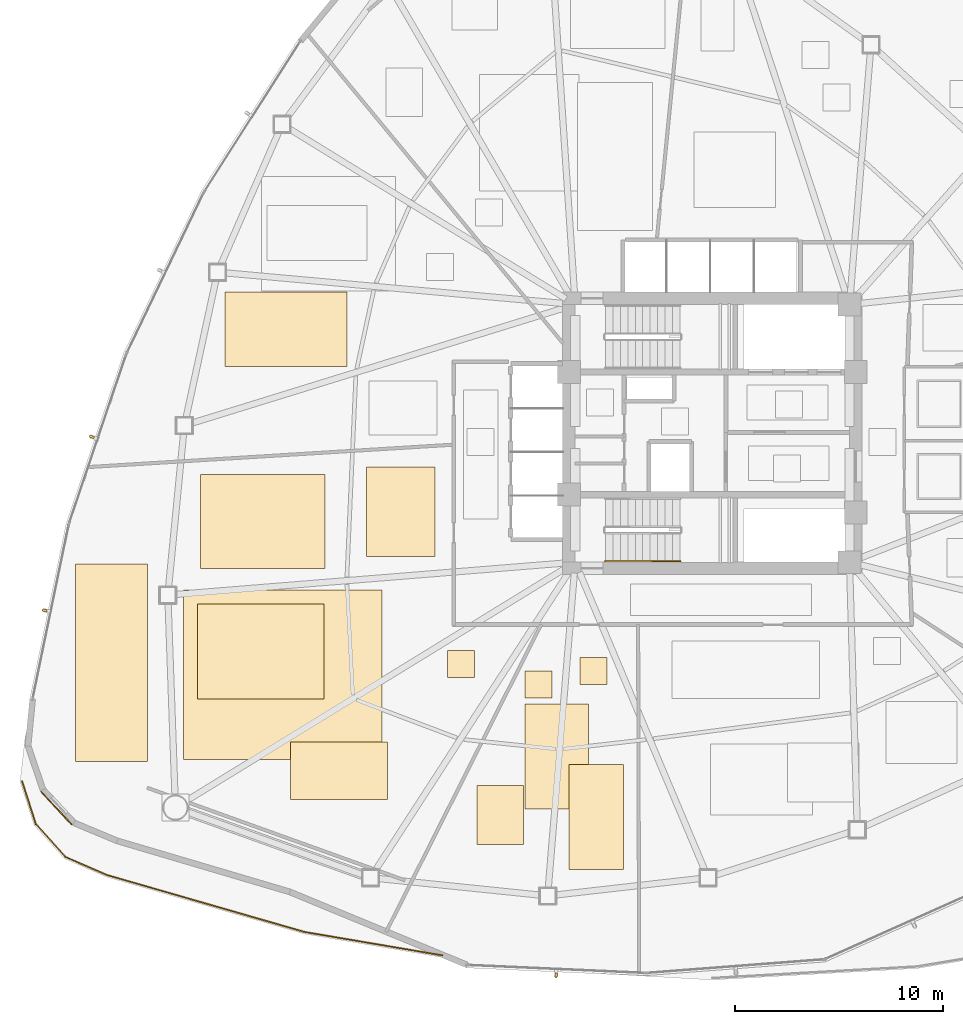
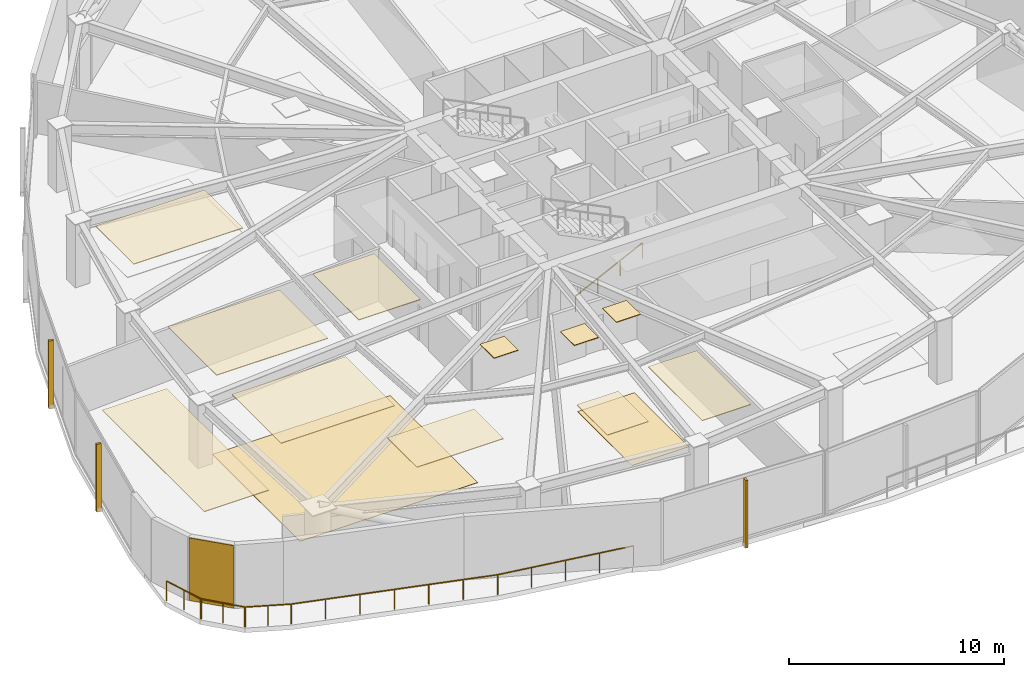
# One storey, part 14 of 19: 14 coverings, 6 railings, 3 shading devices.
"""IFC4 building model written with IfcOpenShell, lengths in metres."""

from ifc_helpers import new_model, si_unit, direction, frame, origin, origin_2d, place, context, subcontext, project, spatial, polyline, rectangle, outline, extrude, source, transform, mapped, material, layer, layer_set, type_object, type_shapes, element, save


model = new_model("IFC4")

# Units and contexts
model_context = context("Model", 3, precision=1e-05, world=origin(), true_north=direction((0.0, 1.0)))
body_context = subcontext(model_context, "Body", "Model", "MODEL_VIEW")
ifc_project = project(units=[si_unit("LENGTHUNIT", "METRE"), si_unit("AREAUNIT", "SQUARE_METRE"), si_unit("VOLUMEUNIT", "CUBIC_METRE"), si_unit("PLANEANGLEUNIT", "RADIAN"), si_unit("MASSUNIT", "GRAM", prefix="KILO")], contexts=[model_context])

# Site, building, storey
site_placement = place(None, origin())
site = spatial("IfcSite", under=ifc_project, at=site_placement, CompositionType="ELEMENT")
building_placement = place(site_placement, origin())
building = spatial("IfcBuilding", under=site, at=building_placement, Name="Tavelor Broadcast Tower", CompositionType="ELEMENT")
storey_placement = place(building_placement, frame((0.0, 0.0, 27.60009765625)))
storey = spatial("IfcBuildingStorey", under=building, at=storey_placement, Name="L05", CompositionType="ELEMENT", Elevation=27.60009765625)

# Covering
ifc_material_1 = material(Name="Copper-Bronze Anodized Aluminium", Category="aluminium")
ifc_layer_1 = layer(ifc_material_1, 0.050048828125)
ifc_layer_set_1 = layer_set([ifc_layer_1], Name="Copper-Bronze Anodized Aluminium")
covering_type_1 = type_object("IfcCoveringType", Name="Champagne-Bronze Corner Pier Metal Cladding 50 mm", PredefinedType="CLADDING", material=ifc_layer_set_1)
covering_1_placement = place(storey_placement, frame((18.4306640625, 26.9658203125, 0.019775390625), z_axis=(0.0, 0.0, 1.0), x_axis=(0.6826363268, -0.730758267372, 0.0)))
element("IfcCovering", 1, at=covering_1_placement, inside=storey, type_object=covering_type_1, Name="L05 Champagne-Bronze Corner Cladding 13", PredefinedType="CLADDING", context=body_context, shape_type="SweptSolid", body=[
    extrude(rectangle(XDim=2.173095703125, YDim=0.050048828125, at=origin_2d()), origin(), (0.0, 0.0, 1.0), 3.56005859375),
])

# Railing
ifc_material_2 = material(Name="Steel S355", Category="steel")
railing_type_1 = type_object("IfcRailingType", Name="Continuous Brushed Stainless Handrail 900 mm", PredefinedType="HANDRAIL", material=ifc_material_2)
railing_1_placement = place(storey_placement, frame((44.85009765625, 38.85009765625, 0.17724609375)))
element("IfcRailing", 2, at=railing_1_placement, inside=storey, type_object=railing_type_1, Name="L05 ST2 stair handrail 1", PredefinedType="HANDRAIL", context=body_context, shape_type="SweptSolid", body=[
    extrude(rectangle(XDim=0.048095703125, YDim=0.048095703125, at=origin_2d()), frame((0.0, 0.0, 0.8759765625), z_axis=(0.897124305991, 0.0, 0.441778201817), x_axis=(0.0, 1.0, 0.0)), (0.0, 0.0, 1.0), 4.0126953125),
    extrude(rectangle(XDim=0.0419921875, YDim=0.0419921875, at=origin_2d()), origin(), (0.0, 0.0, 1.0), 0.851806640625),
    extrude(rectangle(XDim=0.0419921875, YDim=0.0419921875, at=origin_2d()), frame((1.199951171875, 0.0, 0.5908203125)), (0.0, 0.0, 1.0), 0.851806640625),
    extrude(rectangle(XDim=0.0419921875, YDim=0.0419921875, at=origin_2d()), frame((2.39990234375, 0.0, 1.181884765625)), (0.0, 0.0, 1.0), 0.851806640625),
    extrude(rectangle(XDim=0.0419921875, YDim=0.0419921875, at=origin_2d()), frame((3.599853515625, 0.0, 1.772705078125)), (0.0, 0.0, 1.0), 0.851806640625),
])

# Coverings
ifc_material_3 = material(Name="Acoustic Nylon Carpet Tile")
ifc_layer_2 = layer(ifc_material_3, 0.02001953125)
ifc_layer_set_2 = layer_set([ifc_layer_2], Name="Acoustic Nylon Carpet Tile")
covering_type_2 = type_object("IfcCoveringType", Name="Heavy-Duty Acoustic Broadcast Carpet Tile 20 mm", PredefinedType="FLOORING", material=ifc_layer_set_2)
covering_2_placement = place(storey_placement, origin())
element("IfcCovering", 3, at=covering_2_placement, inside=storey, type_object=covering_type_2, Name="L05 Broadcast Floor Finish 0056", PredefinedType="FLOORING", context=body_context, shape_type="SweptSolid", body=[
    extrude(outline(polyline([(40.99462890625, 26.917236328125), (44.045654296875, 26.917236328125), (44.045654296875, 31.978515625), (40.99462890625, 31.978515625), (40.99462890625, 26.917236328125)])), origin(), (0.0, 0.0, 1.0), 0.02001953125),
])
covering_3_placement = place(storey_placement, origin())
element("IfcCovering", 4, at=covering_3_placement, inside=storey, type_object=covering_type_2, Name="L05 Broadcast Floor Finish 0057", PredefinedType="FLOORING", context=body_context, shape_type="SweptSolid", body=[
    extrude(outline(polyline([(24.547119140625, 29.31494140625), (34.098876953125, 29.31494140625), (34.098876953125, 37.4599609375), (24.547119140625, 37.4599609375), (24.547119140625, 29.31494140625)])), origin(), (0.0, 0.0, 1.0), 0.02001953125),
])

# Railings
railing_type_2 = type_object("IfcRailingType", Name="Planted Terrace Laminated Glass Balustrade 1150 mm", PredefinedType="BALUSTRADE", material=ifc_material_2)
railing_2_placement = place(storey_placement, frame((16.775146484375, 28.26416015625, 0.0)))
element("IfcRailing", 5, at=railing_2_placement, inside=storey, type_object=railing_type_2, Name="L05 Cascading Garden Terrace 2 Balustrade #141", PredefinedType="BALUSTRADE", context=body_context, shape_type="SweptSolid", body=[
    extrude(rectangle(XDim=0.048095703125, YDim=0.048095703125, at=origin_2d()), frame((0.0, 0.0, 1.1259765625), z_axis=(0.306507386118, -0.951868279887, 0.0), x_axis=(0.951868279887, 0.306507386118, 0.0)), (0.0, 0.0, 1.0), 2.18896484375),
    extrude(rectangle(XDim=0.0419921875, YDim=0.0419921875, at=origin_2d()), origin(), (0.0, 0.0, 1.0), 1.101806640625),
    extrude(rectangle(XDim=0.0419921875, YDim=0.0419921875, at=origin_2d()), frame((0.33544921875, -1.041748046875, 0.0)), (0.0, 0.0, 1.0), 1.101806640625),
    extrude(rectangle(XDim=0.0419921875, YDim=0.0419921875, at=origin_2d()), frame((0.6708984375, -2.08349609375, 0.0)), (0.0, 0.0, 1.0), 1.101806640625),
])
railing_3_placement = place(storey_placement, frame((17.4248046875, 26.217041015625, 0.0)))
element("IfcRailing", 6, at=railing_3_placement, inside=storey, type_object=railing_type_2, Name="L05 Cascading Garden Terrace 2 Balustrade #142", PredefinedType="BALUSTRADE", context=body_context, shape_type="SweptSolid", body=[
    extrude(rectangle(XDim=0.048095703125, YDim=0.048095703125, at=origin_2d()), frame((0.0, 0.0, 1.1259765625), z_axis=(0.671100212539, -0.741366646626, 0.0), x_axis=(0.741366646626, 0.671100212539, 0.0)), (0.0, 0.0, 1.0), 2.18896484375),
    extrude(rectangle(XDim=0.0419921875, YDim=0.0419921875, at=origin_2d()), origin(), (0.0, 0.0, 1.0), 1.101806640625),
    extrude(rectangle(XDim=0.0419921875, YDim=0.0419921875, at=origin_2d()), frame((0.734375, -0.8115234375, 0.0)), (0.0, 0.0, 1.0), 1.101806640625),
    extrude(rectangle(XDim=0.0419921875, YDim=0.0419921875, at=origin_2d()), frame((1.468994140625, -1.622802734375, 0.0)), (0.0, 0.0, 1.0), 1.101806640625),
])
railing_4_placement = place(storey_placement, frame((18.85986328125, 24.618896484375, 0.0)))
element("IfcRailing", 7, at=railing_4_placement, inside=storey, type_object=railing_type_2, Name="L05 Cascading Garden Terrace 2 Balustrade #143", PredefinedType="BALUSTRADE", context=body_context, shape_type="SweptSolid", body=[
    extrude(rectangle(XDim=0.048095703125, YDim=0.048095703125, at=origin_2d()), frame((0.0, 0.0, 1.1259765625), z_axis=(0.916722152354, -0.3995253376, 0.0), x_axis=(0.3995253376, 0.916722152354, 0.0)), (0.0, 0.0, 1.0), 2.18896484375),
    extrude(rectangle(XDim=0.0419921875, YDim=0.0419921875, at=origin_2d()), origin(), (0.0, 0.0, 1.0), 1.101806640625),
    extrude(rectangle(XDim=0.0419921875, YDim=0.0419921875, at=origin_2d()), frame((1.00341796875, -0.437255859375, 0.0)), (0.0, 0.0, 1.0), 1.101806640625),
    extrude(rectangle(XDim=0.0419921875, YDim=0.0419921875, at=origin_2d()), frame((2.006591796875, -0.87451171875, 0.0)), (0.0, 0.0, 1.0), 1.101806640625),
])
railing_5_placement = place(storey_placement, frame((20.85400390625, 23.748779296875, 0.0)))
element("IfcRailing", 8, at=railing_5_placement, inside=storey, type_object=railing_type_2, Name="L05 Cascading Garden Terrace 2 Balustrade #144", PredefinedType="BALUSTRADE", context=body_context, shape_type="SweptSolid", body=[
    extrude(rectangle(XDim=0.048095703125, YDim=0.048095703125, at=origin_2d()), frame((0.0, 0.0, 1.1259765625), z_axis=(0.960869269695, -0.277002250092, 0.0), x_axis=(0.277002250092, 0.960869269695, 0.0)), (0.0, 0.0, 1.0), 9.90576171875),
    extrude(rectangle(XDim=0.0419921875, YDim=0.0419921875, at=origin_2d()), origin(), (0.0, 0.0, 1.0), 1.101806640625),
    extrude(rectangle(XDim=0.0419921875, YDim=0.0419921875, at=origin_2d()), frame((1.58642578125, -0.457275390625, 0.0)), (0.0, 0.0, 1.0), 1.101806640625),
    extrude(rectangle(XDim=0.0419921875, YDim=0.0419921875, at=origin_2d()), frame((3.172607421875, -0.91455078125, 0.0)), (0.0, 0.0, 1.0), 1.101806640625),
    extrude(rectangle(XDim=0.0419921875, YDim=0.0419921875, at=origin_2d()), frame((4.759033203125, -1.3720703125, 0.0)), (0.0, 0.0, 1.0), 1.101806640625),
    extrude(rectangle(XDim=0.0419921875, YDim=0.0419921875, at=origin_2d()), frame((6.345458984375, -1.829345703125, 0.0)), (0.0, 0.0, 1.0), 1.101806640625),
    extrude(rectangle(XDim=0.0419921875, YDim=0.0419921875, at=origin_2d()), frame((7.931640625, -2.28662109375, 0.0)), (0.0, 0.0, 1.0), 1.101806640625),
    extrude(rectangle(XDim=0.0419921875, YDim=0.0419921875, at=origin_2d()), frame((9.51806640625, -2.743896484375, 0.0)), (0.0, 0.0, 1.0), 1.101806640625),
])
railing_6_placement = place(storey_placement, frame((30.361083984375, 21.007568359375, 0.0)))
element("IfcRailing", 9, at=railing_6_placement, inside=storey, type_object=railing_type_2, Name="L05 Cascading Garden Terrace 2 Balustrade #145", PredefinedType="BALUSTRADE", context=body_context, shape_type="SweptSolid", body=[
    extrude(rectangle(XDim=0.048095703125, YDim=0.048095703125, at=origin_2d()), frame((0.0, 0.0, 1.1259765625), z_axis=(0.985852977945, -0.167612367912, 0.0), x_axis=(0.167612367912, 0.985852977945, 0.0)), (0.0, 0.0, 1.0), 6.749755859375),
    extrude(rectangle(XDim=0.0419921875, YDim=0.0419921875, at=origin_2d()), origin(), (0.0, 0.0, 1.0), 1.101806640625),
    extrude(rectangle(XDim=0.0419921875, YDim=0.0419921875, at=origin_2d()), frame((1.66357421875, -0.28271484375, 0.0)), (0.0, 0.0, 1.0), 1.101806640625),
    extrude(rectangle(XDim=0.0419921875, YDim=0.0419921875, at=origin_2d()), frame((3.3271484375, -0.565673828125, 0.0)), (0.0, 0.0, 1.0), 1.101806640625),
    extrude(rectangle(XDim=0.0419921875, YDim=0.0419921875, at=origin_2d()), frame((4.99072265625, -0.8486328125, 0.0)), (0.0, 0.0, 1.0), 1.101806640625),
    extrude(rectangle(XDim=0.0419921875, YDim=0.0419921875, at=origin_2d()), frame((6.654296875, -1.13134765625, 0.0)), (0.0, 0.0, 1.0), 1.101806640625),
])

# Coverings
ifc_material_4 = material(Name="Acoustic Mineral Fibre Tile")
ifc_layer_3 = layer(ifc_material_4, 0.0400390625)
ifc_layer_set_3 = layer_set([ifc_layer_3], Name="Acoustic Mineral Fibre Tile")
covering_type_3 = type_object("IfcCoveringType", Name="Suspended Acoustic Mineral-Fibre Office Ceiling 40 mm", PredefinedType="CEILING", material=ifc_layer_set_3)
covering_4_placement = place(storey_placement, frame((0.0, 0.0, 3.559814453125)))
element("IfcCovering", 10, at=covering_4_placement, inside=storey, type_object=covering_type_3, Name="L05 Suspended Acoustic Ceiling 0129", PredefinedType="CEILING", context=body_context, shape_type="SweptSolid", body=[
    extrude(outline(polyline([(38.6806640625, 25.205810546875), (40.901123046875, 25.205810546875), (40.901123046875, 28.044677734375), (38.6806640625, 28.044677734375), (38.6806640625, 25.205810546875)])), origin(), (0.0, 0.0, 1.0), 0.0400390625),
])
covering_5_placement = place(storey_placement, frame((0.0, 0.0, 3.559814453125)))
element("IfcCovering", 11, at=covering_5_placement, inside=storey, type_object=covering_type_3, Name="L05 Suspended Acoustic Ceiling 0130", PredefinedType="CEILING", context=body_context, shape_type="SweptSolid", body=[
    extrude(outline(polyline([(40.989013671875, 32.272216796875), (42.288818359375, 32.272216796875), (42.288818359375, 33.572265625), (40.989013671875, 33.572265625), (40.989013671875, 32.272216796875)])), origin(), (0.0, 0.0, 1.0), 0.0400390625),
])
covering_6_placement = place(storey_placement, frame((0.0, 0.0, 3.559814453125)))
element("IfcCovering", 12, at=covering_6_placement, inside=storey, type_object=covering_type_3, Name="L05 Suspended Acoustic Ceiling 0131", PredefinedType="CEILING", context=body_context, shape_type="SweptSolid", body=[
    extrude(outline(polyline([(43.62451171875, 32.9248046875), (44.924560546875, 32.9248046875), (44.924560546875, 34.224609375), (43.62451171875, 34.224609375), (43.62451171875, 32.9248046875)])), origin(), (0.0, 0.0, 1.0), 0.0400390625),
])
covering_7_placement = place(storey_placement, frame((0.0, 0.0, 3.559814453125)))
element("IfcCovering", 13, at=covering_7_placement, inside=storey, type_object=covering_type_3, Name="L05 Suspended Acoustic Ceiling 0132", PredefinedType="CEILING", context=body_context, shape_type="SweptSolid", body=[
    extrude(outline(polyline([(43.09814453125, 24.02294921875), (45.71728515625, 24.02294921875), (45.71728515625, 29.062744140625), (43.09814453125, 29.062744140625), (43.09814453125, 24.02294921875)])), origin(), (0.0, 0.0, 1.0), 0.0400390625),
])
covering_8_placement = place(storey_placement, frame((0.0, 0.0, 3.559814453125)))
element("IfcCovering", 14, at=covering_8_placement, inside=storey, type_object=covering_type_3, Name="L05 Suspended Acoustic Ceiling 0133", PredefinedType="CEILING", context=body_context, shape_type="SweptSolid", body=[
    extrude(outline(polyline([(29.708740234375, 27.378173828125), (34.37109375, 27.378173828125), (34.37109375, 30.14013671875), (29.708740234375, 30.14013671875), (29.708740234375, 27.378173828125)])), origin(), (0.0, 0.0, 1.0), 0.0400390625),
])
covering_9_placement = place(storey_placement, frame((0.0, 0.0, 3.559814453125)))
element("IfcCovering", 15, at=covering_9_placement, inside=storey, type_object=covering_type_3, Name="L05 Suspended Acoustic Ceiling 0134", PredefinedType="CEILING", context=body_context, shape_type="SweptSolid", body=[
    extrude(outline(polyline([(25.214111328125, 32.22314453125), (31.322021484375, 32.22314453125), (31.322021484375, 36.800048828125), (25.214111328125, 36.800048828125), (25.214111328125, 32.22314453125)])), origin(), (0.0, 0.0, 1.0), 0.0400390625),
])
covering_10_placement = place(storey_placement, frame((0.0, 0.0, 3.559814453125)))
element("IfcCovering", 16, at=covering_10_placement, inside=storey, type_object=covering_type_3, Name="L05 Suspended Acoustic Ceiling 0135", PredefinedType="CEILING", context=body_context, shape_type="SweptSolid", body=[
    extrude(outline(polyline([(19.3544921875, 29.212646484375), (22.8232421875, 29.212646484375), (22.8232421875, 38.714111328125), (19.3544921875, 38.714111328125), (19.3544921875, 29.212646484375)])), origin(), (0.0, 0.0, 1.0), 0.0400390625),
])
covering_11_placement = place(storey_placement, frame((0.0, 0.0, 3.559814453125)))
element("IfcCovering", 17, at=covering_11_placement, inside=storey, type_object=covering_type_3, Name="L05 Suspended Acoustic Ceiling 0136", PredefinedType="CEILING", context=body_context, shape_type="SweptSolid", body=[
    extrude(outline(polyline([(25.375, 38.505615234375), (31.357421875, 38.505615234375), (31.357421875, 43.031005859375), (25.375, 43.031005859375), (25.375, 38.505615234375)])), origin(), (0.0, 0.0, 1.0), 0.0400390625),
])
covering_12_placement = place(storey_placement, frame((0.0, 0.0, 3.559814453125)))
element("IfcCovering", 18, at=covering_12_placement, inside=storey, type_object=covering_type_3, Name="L05 Suspended Acoustic Ceiling 0137", PredefinedType="CEILING", context=body_context, shape_type="SweptSolid", body=[
    extrude(outline(polyline([(33.345703125, 39.077880859375), (36.65869140625, 39.077880859375), (36.65869140625, 43.369873046875), (33.345703125, 43.369873046875), (33.345703125, 39.077880859375)])), origin(), (0.0, 0.0, 1.0), 0.0400390625),
])
covering_13_placement = place(storey_placement, frame((0.0, 0.0, 3.559814453125)))
element("IfcCovering", 19, at=covering_13_placement, inside=storey, type_object=covering_type_3, Name="L05 Suspended Acoustic Ceiling 0138", PredefinedType="CEILING", context=body_context, shape_type="SweptSolid", body=[
    extrude(outline(polyline([(37.24169921875, 33.247314453125), (38.541748046875, 33.247314453125), (38.541748046875, 34.547119140625), (37.24169921875, 34.547119140625), (37.24169921875, 33.247314453125)])), origin(), (0.0, 0.0, 1.0), 0.0400390625),
])
covering_14_placement = place(storey_placement, frame((0.0, 0.0, 3.559814453125)))
element("IfcCovering", 20, at=covering_14_placement, inside=storey, type_object=covering_type_3, Name="L05 Suspended Acoustic Ceiling 0142", PredefinedType="CEILING", context=body_context, shape_type="SweptSolid", body=[
    extrude(outline(polyline([(26.545166015625, 48.227294921875), (32.4091796875, 48.227294921875), (32.4091796875, 51.79833984375), (26.545166015625, 51.79833984375), (26.545166015625, 48.227294921875)])), origin(), (0.0, 0.0, 1.0), 0.0400390625),
])

# Shading devices
ifc_material_5 = material(Name="Kiln-Fired Glazed Terracotta", Category="masonry")
shading_device_type = type_object("IfcShadingDeviceType", Name="Extruded Terracotta Baguette Sun-Screen 110x240", PredefinedType="JALOUSIE", material=ifc_material_5)
shared_shape = source(origin(), body_context, "Body", "SweptSolid", [
    extrude(rectangle(XDim=0.110107421875, YDim=0.239990234375, at=origin_2d()), origin(), (0.0, 0.0, 1.0), 3.840087890625),
])
type_shapes(shading_device_type, [shared_shape])
for number, where, z_axis, x_axis, name in (
    (21, (20.135498046875, 44.83251953125, -0.26025390625), (0.0, 0.0, 1.0), (-0.320116988518, -0.947378020466, 0.0), "L05 Terracotta Baguette Fin 15"),
    (22, (17.8662109375, 36.4794921875, -0.26025390625), (0.0, 0.0, 1.0), (-0.203129096238, -0.979151964846, 0.0), "L05 Terracotta Baguette Fin 16"),
    (23, (42.4814453125, 18.920166015625, -0.26025390625), (0.0, 0.0, 1.0), (0.998994184858, -0.044839922168, 0.0), "L05 Terracotta Baguette Fin 17"),
):
    element("IfcShadingDevice", number, at=place(storey_placement, frame(where, z_axis=z_axis, x_axis=x_axis)), inside=storey, type_object=shading_device_type, Name=name, PredefinedType="JALOUSIE", context=body_context, shape_type="MappedRepresentation", body=[
        mapped(shared_shape, transform((0.0, 0.0, 0.0), scale=1.0)),
    ])

save(model, "model.ifc")
